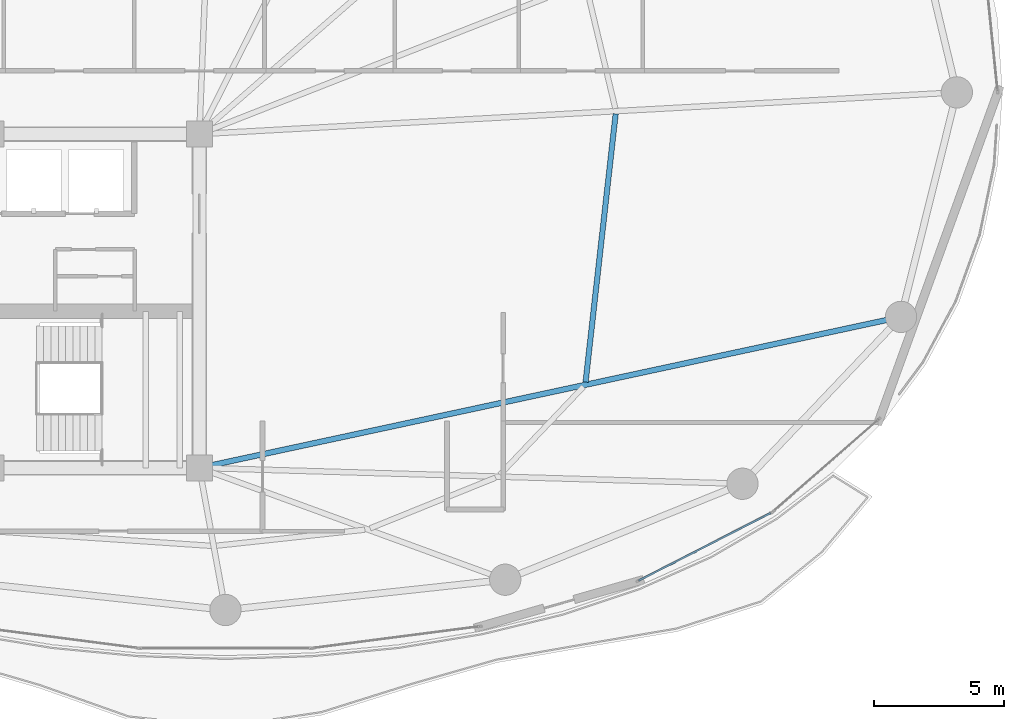
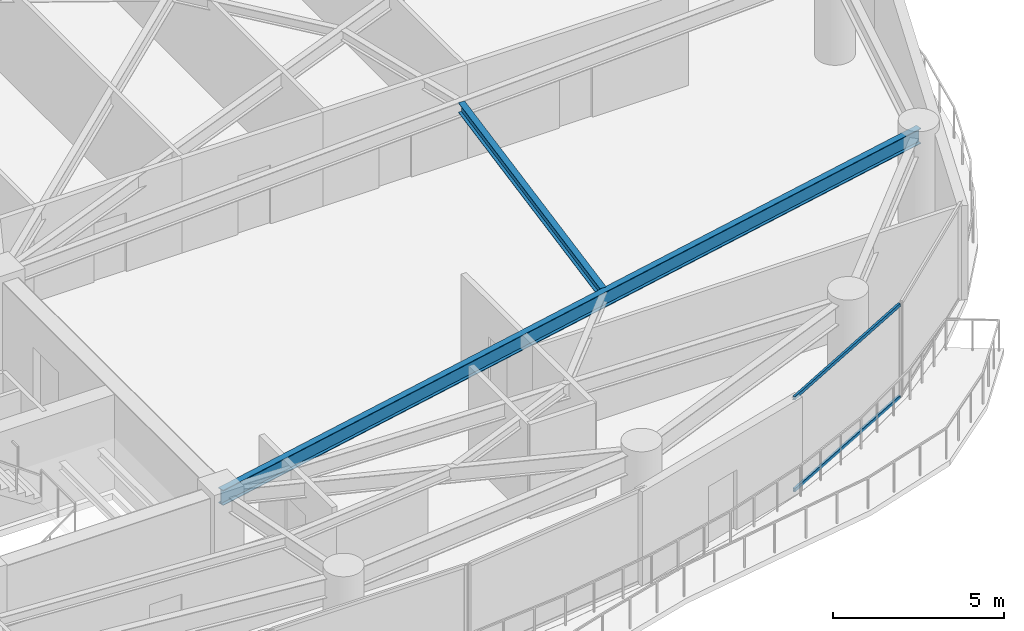
# One storey, part 12 of 30: 2 beams, 2 members, 1 element without a shape of its own.
"""IFC4 building model written with IfcOpenShell, lengths in metres."""

from ifc_helpers import new_model, si_unit, direction, frame, origin, origin_2d, place, context, subcontext, project, spatial, hollow_rectangle, i_section, extrude, material, layer, layer_set, material_profile, profile_set, type_object, element, aggregate, save


model = new_model("IFC4")

# Units and contexts
model_context = context("Model", 3, precision=1e-05, world=origin(), true_north=direction((0.0, 1.0)))
body_context = subcontext(model_context, "Body", "Model", "MODEL_VIEW")
ifc_project = project(units=[si_unit("LENGTHUNIT", "METRE"), si_unit("AREAUNIT", "SQUARE_METRE"), si_unit("VOLUMEUNIT", "CUBIC_METRE"), si_unit("PLANEANGLEUNIT", "RADIAN"), si_unit("MASSUNIT", "GRAM", prefix="KILO")], contexts=[model_context])

# Site, building, storey
site_placement = place(None, origin())
site = spatial("IfcSite", under=ifc_project, at=site_placement, CompositionType="ELEMENT")
building_placement = place(site_placement, origin())
building = spatial("IfcBuilding", under=site, at=building_placement, Name="Kazevale Care Tower and Concert Hall", CompositionType="ELEMENT")
storey_placement = place(building_placement, frame((0.0, 0.0, 131.39990234375)))
storey = spatial("IfcBuildingStorey", under=building, at=storey_placement, Name="L34", CompositionType="ELEMENT", Elevation=131.39990234375)

# Curtain wall, members
ifc_material_1 = material(Name="Aluminium 6063-T6 and Low-E Glass", Category="aluminium")
ifc_layer = layer(ifc_material_1, 0.179931640625)
ifc_layer_set = layer_set([ifc_layer], Name="Aluminium 6063-T6 and Low-E Glass")
curtain_wall_type = type_object("IfcCurtainWallType", Name="Sheltered Concave Balcony Curtain Wall CW-5", PredefinedType="NOTDEFINED", material=ifc_layer_set)
curtain_wall_placement = place(storey_placement, origin())
curtain_wall = element("IfcCurtainWall", 1, at=curtain_wall_placement, inside=storey, type_object=curtain_wall_type, Name="cw:L34:f03", PredefinedType="NOTDEFINED")
ifc_material_2 = material(Name="Aluminium 6063-T6", Category="aluminium")
ifc_material_profile_1 = material_profile(ifc_material_2, hollow_rectangle(XDim=0.074951171875, YDim=0.1201171875, WallThickness=0.00390625, at=origin_2d()), Name="ALU75x120x4")
ifc_profile_set_1 = profile_set([ifc_material_profile_1], Name="Aluminium 6063-T6")
member_type = type_object("IfcMemberType", Name="CW-5 Transom ALU75x120x4", PredefinedType="USERDEFINED", material=ifc_profile_set_1)
member_1_placement = place(storey_placement, frame((65.904296875, 21.86376953125, 0.03759765625), z_axis=(-0.890142600475, -0.455682072084, 0.0), x_axis=(0.455682072084, -0.890142600475, 0.0)))
member_1 = element("IfcMember", 2, at=member_1_placement, type_object=member_type, Name="CW-5 transom 1.1", ObjectType="TRANSOM", PredefinedType="USERDEFINED", context=body_context, shape_type="SweptSolid", body=[
    extrude(hollow_rectangle(XDim=0.074951171875, YDim=0.1201171875, WallThickness=0.00390625, at=origin_2d()), origin(), (0.0, 0.0, 1.0), 5.671630859375),
])
member_2_placement = place(storey_placement, frame((65.904296875, 21.86376953125, 3.322509765625), z_axis=(-0.890142600475, -0.455682072084, 0.0), x_axis=(0.455682072084, -0.890142600475, 0.0)))
member_2 = element("IfcMember", 3, at=member_2_placement, type_object=member_type, Name="CW-5 transom 1.2", ObjectType="TRANSOM", PredefinedType="USERDEFINED", context=body_context, shape_type="SweptSolid", body=[
    extrude(hollow_rectangle(XDim=0.074951171875, YDim=0.1201171875, WallThickness=0.00390625, at=origin_2d()), origin(), (0.0, 0.0, 1.0), 5.671630859375),
])
aggregate(curtain_wall, [member_1, member_2])

# Beams
ifc_material_3 = material(Name="Steel ASTM A572 Gr 50", Category="steel")
ifc_material_profile_2 = material_profile(ifc_material_3, i_section(OverallWidth=0.2119140625, OverallDepth=0.5439453125, WebThickness=0.01318359375, FlangeThickness=0.021240234375, at=origin_2d()), Name="W530x123")
ifc_profile_set_2 = profile_set([ifc_material_profile_2], Name="Steel ASTM A572 Gr 50")
beam_type_1 = type_object("IfcBeamType", Name="Radial Floor Girder W530x123", PredefinedType="BEAM", material=ifc_profile_set_2)
beam_1_placement = place(storey_placement, frame((44.0, 23.60009765625, 3.088134765625), z_axis=(0.97762801725, 0.210341293823, 0.0), x_axis=(-0.210341293823, 0.97762801725, 0.0)))
element("IfcBeam", 4, at=beam_1_placement, inside=storey, type_object=beam_type_1, Name="beam:L34:rad:16", PredefinedType="BEAM", context=body_context, shape_type="SweptSolid", body=[
    extrude(i_section(OverallWidth=0.2119140625, OverallDepth=0.5439453125, WebThickness=0.01318359375, FlangeThickness=0.021240234375, at=origin_2d()), origin(), (0.0, 0.0, 1.0), 27.525634765625),
])
ifc_material_profile_3 = material_profile(ifc_material_3, i_section(OverallWidth=0.205078125, OverallDepth=0.35400390625, WebThickness=0.009521484375, FlangeThickness=0.016845703125, at=origin_2d()), Name="W360x79")
ifc_profile_set_3 = profile_set([ifc_material_profile_3], Name="Steel ASTM A572 Gr 50")
beam_type_2 = type_object("IfcBeamType", Name="Secondary Floor Joist W360x79", PredefinedType="JOIST", material=ifc_profile_set_3)
beam_2_placement = place(storey_placement, frame((58.81201171875, 26.888916015625, 3.18310546875), z_axis=(0.111485011105, 0.993766115491, 0.0), x_axis=(-0.993766115491, 0.111485011105, 0.0)))
element("IfcBeam", 5, at=beam_2_placement, inside=storey, type_object=beam_type_2, Name="beam:L34:joist:16", PredefinedType="JOIST", context=body_context, shape_type="SweptSolid", body=[
    extrude(i_section(OverallWidth=0.205078125, OverallDepth=0.35400390625, WebThickness=0.009521484375, FlangeThickness=0.016845703125, at=origin_2d()), origin(), (0.0, 0.0, 1.0), 10.3515625),
])

save(model, "model.ifc")
